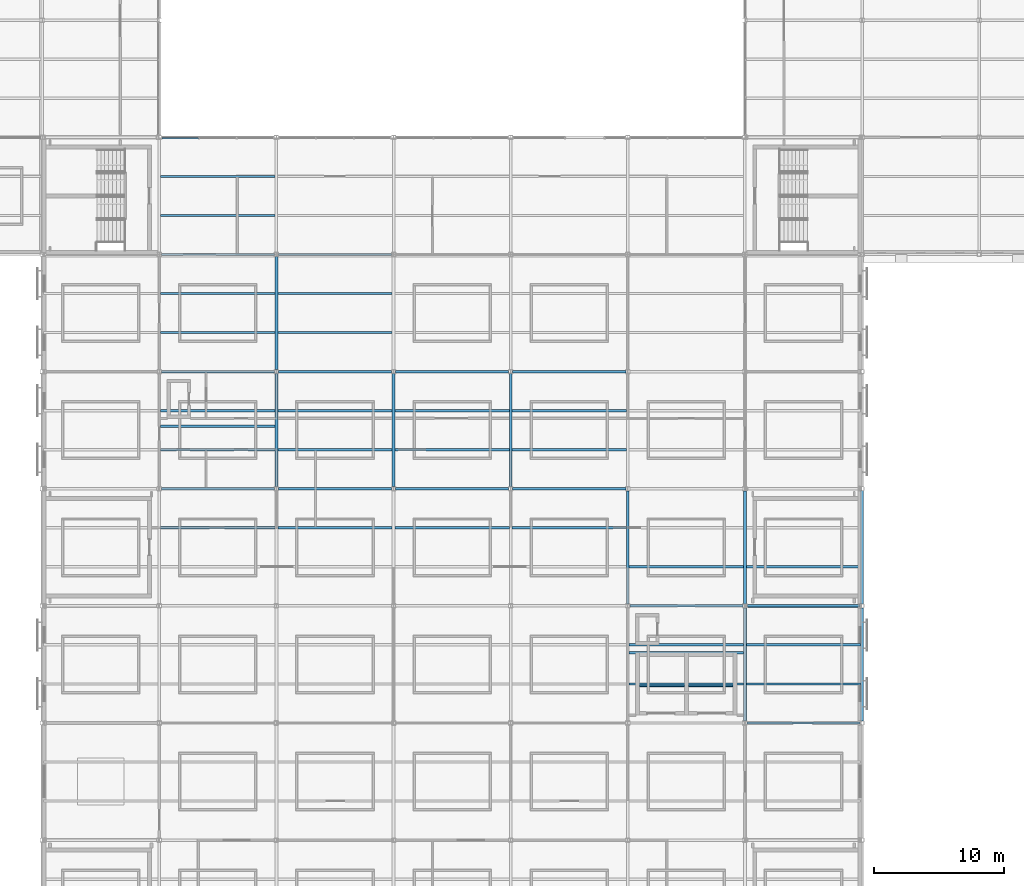
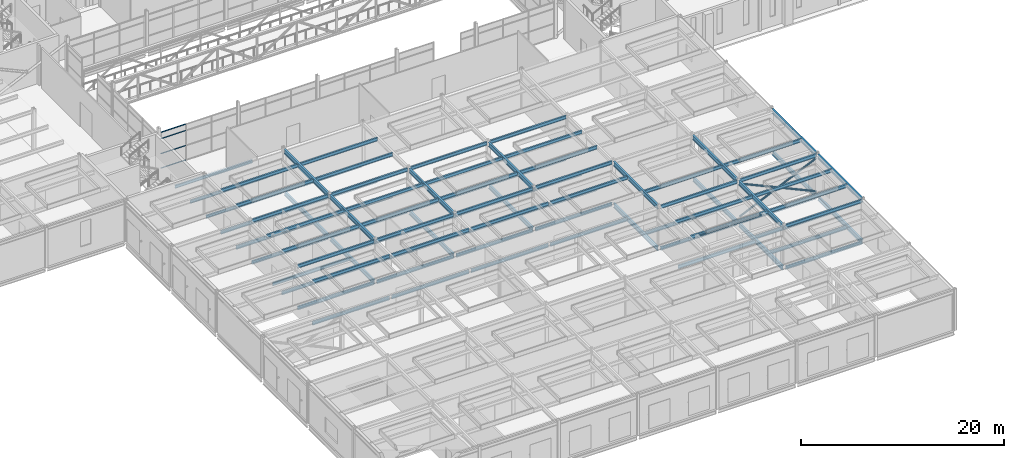
# One storey, part 24 of 115: 88 beams, 6 members, 1 element without a shape of its own.
"""IFC4 building model written with IfcOpenShell, lengths in metres."""

from ifc_helpers import new_model, si_unit, direction, frame, origin, origin_2d, place, context, subcontext, project, spatial, hollow_rectangle, hollow_circle, i_section, extrude, material, layer, layer_set, material_profile, profile_set, type_object, element, aggregate, save


model = new_model("IFC4")

# Units and contexts
model_context = context("Model", 3, precision=1e-05, world=origin(), true_north=direction((0.0, 1.0)))
body_context = subcontext(model_context, "Body", "Model", "MODEL_VIEW")
ifc_project = project(units=[si_unit("LENGTHUNIT", "METRE"), si_unit("AREAUNIT", "SQUARE_METRE"), si_unit("VOLUMEUNIT", "CUBIC_METRE"), si_unit("PLANEANGLEUNIT", "RADIAN"), si_unit("MASSUNIT", "GRAM", prefix="KILO")], contexts=[model_context])

# Site, building, storey
site_placement = place(None, origin())
site = spatial("IfcSite", under=ifc_project, at=site_placement, CompositionType="ELEMENT")
building_placement = place(site_placement, origin())
building = spatial("IfcBuilding", under=site, at=building_placement, Name="Shorebreak Coast Museum", CompositionType="ELEMENT")
storey_placement = place(building_placement, frame((0.0, 0.0, 11.0)))
storey = spatial("IfcBuildingStorey", under=building, at=storey_placement, Name="L02", CompositionType="ELEMENT", Elevation=11.0)

# Beams
ifc_material_1 = material(Name="Steel Grade 300", Category="steel")
ifc_material_profile_1 = material_profile(ifc_material_1, i_section(OverallWidth=0.172119140625, OverallDepth=0.358642578125, WebThickness=0.008056640625, FlangeThickness=0.012939453125, FilletRadius=0.011474609375, at=origin_2d()), Name="360UB56.7")
ifc_profile_set_1 = profile_set([ifc_material_profile_1], Name="Steel Grade 300")
beam_type_1 = type_object("IfcBeamType", Name="Floor girder east-west 360UB56.7", PredefinedType="BEAM", material=ifc_profile_set_1)
for number, where, z_axis, x_axis, name in (
    (1, (63.154541015625, 54.0, -0.354248046875), (1.0, 0.0, 0.0), (0.0, 1.0, 0.0), "Floor girder east-west L02 8G"),
    (2, (72.154541015625, 54.0, -0.354248046875), (1.0, 0.0, 0.0), (0.0, 1.0, 0.0), "Floor girder east-west L02 9G"),
):
    element("IfcBeam", number, at=place(storey_placement, frame(where, z_axis=z_axis, x_axis=x_axis)), inside=storey, type_object=beam_type_1, Name=name, PredefinedType="BEAM", context=body_context, shape_type="SweptSolid", body=[
        extrude(i_section(OverallWidth=0.172119140625, OverallDepth=0.358642578125, WebThickness=0.008056640625, FlangeThickness=0.012939453125, FilletRadius=0.011474609375, at=origin_2d()), origin(), (0.0, 0.0, 1.0), 8.69091796875),
    ])
ifc_material_2 = material(Name="Steel Grade 300", Category="steel")
ifc_material_profile_2 = material_profile(ifc_material_2, i_section(OverallWidth=0.177978515625, OverallDepth=0.406494140625, WebThickness=0.0078125, FlangeThickness=0.0126953125, FilletRadius=0.011474609375, at=origin_2d()), Name="410UB59.7")
ifc_profile_set_2 = profile_set([ifc_material_profile_2], Name="Steel Grade 300")
beam_type_2 = type_object("IfcBeamType", Name="Floor girder east-west 410UB59.7", PredefinedType="BEAM", material=ifc_profile_set_2)
beam_1_placement = place(storey_placement, frame((108.154541015625, 18.0, -0.378173828125), z_axis=(1.0, 0.0, 0.0), x_axis=(0.0, 1.0, 0.0)))
element("IfcBeam", 3, at=beam_1_placement, inside=storey, type_object=beam_type_2, Name="Floor girder east-west L02 13C", PredefinedType="BEAM", context=body_context, shape_type="SweptSolid", body=[
    extrude(i_section(OverallWidth=0.177978515625, OverallDepth=0.406494140625, WebThickness=0.0078125, FlangeThickness=0.0126953125, FilletRadius=0.011474609375, at=origin_2d()), origin(), (0.0, 0.0, 1.0), 8.695556640625),
])
beam_2_placement = place(storey_placement, frame((99.154541015625, 27.0, -0.378173828125), z_axis=(1.0, 0.0, 0.0), x_axis=(0.0, 1.0, 0.0)))
element("IfcBeam", 4, at=beam_2_placement, inside=storey, type_object=beam_type_2, Name="Floor girder east-west L02 12D", PredefinedType="BEAM", context=body_context, shape_type="SweptSolid", body=[
    extrude(i_section(OverallWidth=0.177978515625, OverallDepth=0.406494140625, WebThickness=0.0078125, FlangeThickness=0.0126953125, FilletRadius=0.011474609375, at=origin_2d()), origin(), (0.0, 0.0, 1.0), 8.69091796875),
])
beam_3_placement = place(storey_placement, frame((108.154541015625, 27.0, -0.378173828125), z_axis=(1.0, 0.0, 0.0), x_axis=(0.0, 1.0, 0.0)))
element("IfcBeam", 5, at=beam_3_placement, inside=storey, type_object=beam_type_2, Name="Floor girder east-west L02 13D", PredefinedType="BEAM", context=body_context, shape_type="SweptSolid", body=[
    extrude(i_section(OverallWidth=0.177978515625, OverallDepth=0.406494140625, WebThickness=0.0078125, FlangeThickness=0.0126953125, FilletRadius=0.011474609375, at=origin_2d()), origin(), (0.0, 0.0, 1.0), 8.695556640625),
])
for number, where, z_axis, x_axis, name in (
    (6, (63.154541015625, 36.0, -0.378173828125), (1.0, 0.0, 0.0), (0.0, 1.0, 0.0), "Floor girder east-west L02 8E"),
    (7, (72.154541015625, 36.0, -0.378173828125), (1.0, 0.0, 0.0), (0.0, 1.0, 0.0), "Floor girder east-west L02 9E"),
    (8, (81.154541015625, 36.0, -0.378173828125), (1.0, 0.0, 0.0), (0.0, 1.0, 0.0), "Floor girder east-west L02 10E"),
    (9, (90.154541015625, 36.0, -0.378173828125), (1.0, 0.0, 0.0), (0.0, 1.0, 0.0), "Floor girder east-west L02 11E"),
    (10, (63.154541015625, 45.0, -0.378173828125), (1.0, 0.0, 0.0), (0.0, 1.0, 0.0), "Floor girder east-west L02 8F"),
    (11, (72.154541015625, 45.0, -0.378173828125), (1.0, 0.0, 0.0), (0.0, 1.0, 0.0), "Floor girder east-west L02 9F"),
    (12, (81.154541015625, 45.0, -0.378173828125), (1.0, 0.0, 0.0), (0.0, 1.0, 0.0), "Floor girder east-west L02 10F"),
    (13, (90.154541015625, 45.0, -0.378173828125), (1.0, 0.0, 0.0), (0.0, 1.0, 0.0), "Floor girder east-west L02 11F"),
):
    element("IfcBeam", number, at=place(storey_placement, frame(where, z_axis=z_axis, x_axis=x_axis)), inside=storey, type_object=beam_type_2, Name=name, PredefinedType="BEAM", context=body_context, shape_type="SweptSolid", body=[
        extrude(i_section(OverallWidth=0.177978515625, OverallDepth=0.406494140625, WebThickness=0.0078125, FlangeThickness=0.0126953125, FilletRadius=0.011474609375, at=origin_2d()), origin(), (0.0, 0.0, 1.0), 8.69091796875),
    ])
ifc_material_3 = material(Name="Steel Grade 300", Category="steel")
ifc_material_profile_3 = material_profile(ifc_material_3, i_section(OverallWidth=0.208984375, OverallDepth=0.5283203125, WebThickness=0.009521484375, FlangeThickness=0.01318359375, FilletRadius=0.013916015625, at=origin_2d()), Name="530UB82.0")
ifc_profile_set_3 = profile_set([ifc_material_profile_3], Name="Steel Grade 300")
beam_type_3 = type_object("IfcBeamType", Name="Floor girder north-south 530UB82.0", PredefinedType="BEAM", material=ifc_profile_set_3)
beam_4_placement = place(storey_placement, frame((108.0, 18.160400390625, -0.439208984375), z_axis=(0.0, 1.0, 0.0), x_axis=(-1.0, 0.0, 0.0)))
element("IfcBeam", 14, at=beam_4_placement, inside=storey, type_object=beam_type_3, Name="Floor girder north-south L02 13C", PredefinedType="BEAM", context=body_context, shape_type="SweptSolid", body=[
    extrude(i_section(OverallWidth=0.208984375, OverallDepth=0.5283203125, WebThickness=0.009521484375, FlangeThickness=0.01318359375, FilletRadius=0.013916015625, at=origin_2d()), origin(), (0.0, 0.0, 1.0), 8.67919921875),
])
beam_5_placement = place(storey_placement, frame((117.0, 18.14990234375, -0.439208984375), z_axis=(0.0, 1.0, 0.0), x_axis=(-1.0, 0.0, 0.0)))
element("IfcBeam", 15, at=beam_5_placement, inside=storey, type_object=beam_type_3, Name="Floor girder north-south L02 14C", PredefinedType="BEAM", context=body_context, shape_type="SweptSolid", body=[
    extrude(i_section(OverallWidth=0.208984375, OverallDepth=0.5283203125, WebThickness=0.009521484375, FlangeThickness=0.01318359375, FilletRadius=0.013916015625, at=origin_2d()), origin(), (0.0, 0.0, 1.0), 8.7001953125),
])
for number, where, z_axis, x_axis, name in (
    (16, (99.0, 27.160400390625, -0.439208984375), (0.0, 1.0, 0.0), (-1.0, 0.0, 0.0), "Floor girder north-south L02 12D"),
    (17, (108.0, 27.160400390625, -0.439208984375), (0.0, 1.0, 0.0), (-1.0, 0.0, 0.0), "Floor girder north-south L02 13D"),
):
    element("IfcBeam", number, at=place(storey_placement, frame(where, z_axis=z_axis, x_axis=x_axis)), inside=storey, type_object=beam_type_3, Name=name, PredefinedType="BEAM", context=body_context, shape_type="SweptSolid", body=[
        extrude(i_section(OverallWidth=0.208984375, OverallDepth=0.5283203125, WebThickness=0.009521484375, FlangeThickness=0.01318359375, FilletRadius=0.013916015625, at=origin_2d()), origin(), (0.0, 0.0, 1.0), 8.67919921875),
    ])
beam_6_placement = place(storey_placement, frame((117.0, 27.14990234375, -0.439208984375), z_axis=(0.0, 1.0, 0.0), x_axis=(-1.0, 0.0, 0.0)))
element("IfcBeam", 18, at=beam_6_placement, inside=storey, type_object=beam_type_3, Name="Floor girder north-south L02 14D", PredefinedType="BEAM", context=body_context, shape_type="SweptSolid", body=[
    extrude(i_section(OverallWidth=0.208984375, OverallDepth=0.5283203125, WebThickness=0.009521484375, FlangeThickness=0.01318359375, FilletRadius=0.013916015625, at=origin_2d()), origin(), (0.0, 0.0, 1.0), 8.7001953125),
])
for number, where, z_axis, x_axis, name in (
    (19, (72.0, 36.160400390625, -0.439208984375), (0.0, 1.0, 0.0), (-1.0, 0.0, 0.0), "Floor girder north-south L02 9E"),
    (20, (81.0, 36.160400390625, -0.439208984375), (0.0, 1.0, 0.0), (-1.0, 0.0, 0.0), "Floor girder north-south L02 10E"),
    (21, (90.0, 36.160400390625, -0.439208984375), (0.0, 1.0, 0.0), (-1.0, 0.0, 0.0), "Floor girder north-south L02 11E"),
    (22, (72.0, 45.160400390625, -0.439208984375), (0.0, 1.0, 0.0), (-1.0, 0.0, 0.0), "Floor girder north-south L02 9F"),
):
    element("IfcBeam", number, at=place(storey_placement, frame(where, z_axis=z_axis, x_axis=x_axis)), inside=storey, type_object=beam_type_3, Name=name, PredefinedType="BEAM", context=body_context, shape_type="SweptSolid", body=[
        extrude(i_section(OverallWidth=0.208984375, OverallDepth=0.5283203125, WebThickness=0.009521484375, FlangeThickness=0.01318359375, FilletRadius=0.013916015625, at=origin_2d()), origin(), (0.0, 0.0, 1.0), 8.67919921875),
    ])
ifc_material_4 = material(Name="Steel Grade 300", Category="steel")
ifc_material_profile_4 = material_profile(ifc_material_4, i_section(OverallWidth=0.1708984375, OverallDepth=0.35205078125, WebThickness=0.0068359375, FlangeThickness=0.009765625, FilletRadius=0.011474609375, at=origin_2d()), Name="360UB44.7")
ifc_profile_set_4 = profile_set([ifc_material_profile_4], Name="Steel Grade 300")
beam_type_4 = type_object("IfcBeamType", Name="Floor joist 360UB44.7", PredefinedType="JOIST", material=ifc_profile_set_4)
for number, where, z_axis, x_axis, name in (
    (23, (63.095458984375, 57.0, -0.35107421875), (1.0, 0.0, 0.0), (0.0, 1.0, 0.0), "Floor joist L02 bay 8G at 3000 mm"),
    (24, (63.095458984375, 60.0, -0.35107421875), (1.0, 0.0, 0.0), (0.0, 1.0, 0.0), "Floor joist L02 bay 8G at 6000 mm"),
):
    element("IfcBeam", number, at=place(storey_placement, frame(where, z_axis=z_axis, x_axis=x_axis)), inside=storey, type_object=beam_type_4, Name=name, PredefinedType="JOIST", context=body_context, shape_type="SweptSolid", body=[
        extrude(i_section(OverallWidth=0.1708984375, OverallDepth=0.35205078125, WebThickness=0.0068359375, FlangeThickness=0.009765625, FilletRadius=0.011474609375, at=origin_2d()), origin(), (0.0, 0.0, 1.0), 8.80908203125),
    ])
ifc_material_5 = material(Name="Steel Grade 300", Category="steel")
ifc_material_profile_5 = material_profile(ifc_material_5, i_section(OverallWidth=0.177978515625, OverallDepth=0.406494140625, WebThickness=0.0078125, FlangeThickness=0.0126953125, FilletRadius=0.011474609375, at=origin_2d()), Name="410UB59.7")
ifc_profile_set_5 = profile_set([ifc_material_profile_5], Name="Steel Grade 300")
beam_type_5 = type_object("IfcBeamType", Name="Floor joist 410UB59.7", PredefinedType="JOIST", material=ifc_profile_set_5)
for number, where, z_axis, x_axis, name in (
    (25, (99.1044921875, 23.39990234375, -0.378173828125), (1.0, 0.0, 0.0), (0.0, 1.0, 0.0), "Floor joist L02 bay 12C at 5400 mm"),
    (26, (108.1044921875, 21.0, -0.378173828125), (1.0, 0.0, 0.0), (0.0, 1.0, 0.0), "Floor joist L02 bay 13C at 3000 mm"),
    (27, (108.1044921875, 24.0, -0.378173828125), (1.0, 0.0, 0.0), (0.0, 1.0, 0.0), "Floor joist L02 bay 13C at 6000 mm"),
    (28, (63.1044921875, 33.0, -0.378173828125), (1.0, 0.0, 0.0), (0.0, 1.0, 0.0), "Floor joist L02 bay 8D at 6000 mm"),
    (29, (72.1044921875, 33.0, -0.378173828125), (1.0, 0.0, 0.0), (0.0, 1.0, 0.0), "Floor joist L02 bay 9D at 6000 mm"),
    (30, (81.1044921875, 33.0, -0.378173828125), (1.0, 0.0, 0.0), (0.0, 1.0, 0.0), "Floor joist L02 bay 10D at 6000 mm"),
    (31, (90.1044921875, 33.0, -0.378173828125), (1.0, 0.0, 0.0), (0.0, 1.0, 0.0), "Floor joist L02 bay 11D at 6000 mm"),
    (32, (99.1044921875, 30.0, -0.378173828125), (1.0, 0.0, 0.0), (0.0, 1.0, 0.0), "Floor joist L02 bay 12D at 3000 mm"),
    (33, (63.1044921875, 39.0, -0.378173828125), (1.0, 0.0, 0.0), (0.0, 1.0, 0.0), "Floor joist L02 bay 8E at 3000 mm"),
    (34, (63.1044921875, 40.800048828125, -0.378173828125), (1.0, 0.0, 0.0), (0.0, 1.0, 0.0), "Floor joist L02 bay 8E at 4800 mm"),
    (35, (72.1044921875, 39.0, -0.378173828125), (1.0, 0.0, 0.0), (0.0, 1.0, 0.0), "Floor joist L02 bay 9E at 3000 mm"),
    (36, (72.1044921875, 42.0, -0.378173828125), (1.0, 0.0, 0.0), (0.0, 1.0, 0.0), "Floor joist L02 bay 9E at 6000 mm"),
    (37, (81.1044921875, 39.0, -0.378173828125), (1.0, 0.0, 0.0), (0.0, 1.0, 0.0), "Floor joist L02 bay 10E at 3000 mm"),
    (38, (81.1044921875, 42.0, -0.378173828125), (1.0, 0.0, 0.0), (0.0, 1.0, 0.0), "Floor joist L02 bay 10E at 6000 mm"),
    (39, (90.1044921875, 39.0, -0.378173828125), (1.0, 0.0, 0.0), (0.0, 1.0, 0.0), "Floor joist L02 bay 11E at 3000 mm"),
    (40, (90.1044921875, 42.0, -0.378173828125), (1.0, 0.0, 0.0), (0.0, 1.0, 0.0), "Floor joist L02 bay 11E at 6000 mm"),
    (41, (63.1044921875, 48.0, -0.378173828125), (1.0, 0.0, 0.0), (0.0, 1.0, 0.0), "Floor joist L02 bay 8F at 3000 mm"),
    (42, (63.1044921875, 51.0, -0.378173828125), (1.0, 0.0, 0.0), (0.0, 1.0, 0.0), "Floor joist L02 bay 8F at 6000 mm"),
    (43, (72.1044921875, 48.0, -0.378173828125), (1.0, 0.0, 0.0), (0.0, 1.0, 0.0), "Floor joist L02 bay 9F at 3000 mm"),
    (44, (72.1044921875, 51.0, -0.378173828125), (1.0, 0.0, 0.0), (0.0, 1.0, 0.0), "Floor joist L02 bay 9F at 6000 mm"),
):
    element("IfcBeam", number, at=place(storey_placement, frame(where, z_axis=z_axis, x_axis=x_axis)), inside=storey, type_object=beam_type_5, Name=name, PredefinedType="JOIST", context=body_context, shape_type="SweptSolid", body=[
        extrude(i_section(OverallWidth=0.177978515625, OverallDepth=0.406494140625, WebThickness=0.0078125, FlangeThickness=0.0126953125, FilletRadius=0.011474609375, at=origin_2d()), origin(), (0.0, 0.0, 1.0), 8.791015625),
    ])
ifc_material_6 = material(Name="Steel Grade C450L0", Category="steel")
ifc_material_profile_6 = material_profile(ifc_material_6, hollow_rectangle(XDim=0.14990234375, YDim=0.14990234375, WallThickness=0.009033203125, InnerFilletRadius=0.013427734375, OuterFilletRadius=0.0224609375, at=origin_2d()), Name="150x150x9.0 SHS")
ifc_profile_set_6 = profile_set([ifc_material_profile_6], Name="Steel Grade C450L0")
beam_type_6 = type_object("IfcBeamType", Name="Lift rail head beam 150x150x9.0 SHS", PredefinedType="BEAM", material=ifc_profile_set_6)
for number, where, z_axis, x_axis, name in (
    (45, (99.89990234375, 20.85009765625, 4.574951171875), (1.0, 0.0, 0.0), (0.0, 1.0, 0.0), "Goods Lift 1 rail head beam"),
    (46, (103.64990234375, 20.85009765625, 4.574951171875), (1.0, 0.0, 0.0), (0.0, 1.0, 0.0), "Goods Lift 2 rail head beam"),
):
    element("IfcBeam", number, at=place(storey_placement, frame(where, z_axis=z_axis, x_axis=x_axis)), inside=storey, type_object=beam_type_6, Name=name, PredefinedType="BEAM", context=body_context, shape_type="SweptSolid", body=[
        extrude(hollow_rectangle(XDim=0.14990234375, YDim=0.14990234375, WallThickness=0.009033203125, InnerFilletRadius=0.013427734375, OuterFilletRadius=0.0224609375, at=origin_2d()), origin(), (0.0, 0.0, 1.0), 3.4501953125),
    ])
ifc_material_7 = material(Name="Steel Grade 300", Category="steel")
ifc_material_profile_7 = material_profile(ifc_material_7, i_section(OverallWidth=0.177978515625, OverallDepth=0.406494140625, WebThickness=0.0078125, FlangeThickness=0.0126953125, FilletRadius=0.011474609375, at=origin_2d()), Name="410UB59.7")
ifc_profile_set_7 = profile_set([ifc_material_profile_7], Name="Steel Grade 300")
beam_type_7 = type_object("IfcBeamType", Name="Roof deck girder east-west 410UB59.7", PredefinedType="BEAM", material=ifc_profile_set_7)
beam_7_placement = place(storey_placement, frame((108.153564453125, 18.0, 4.621826171875), z_axis=(1.0, 0.0, 0.0), x_axis=(0.0, 1.0, 0.0)))
element("IfcBeam", 47, at=beam_7_placement, inside=storey, type_object=beam_type_7, Name="Roof deck girder east-west L03 13C", PredefinedType="BEAM", context=body_context, shape_type="SweptSolid", body=[
    extrude(i_section(OverallWidth=0.177978515625, OverallDepth=0.406494140625, WebThickness=0.0078125, FlangeThickness=0.0126953125, FilletRadius=0.011474609375, at=origin_2d()), origin(), (0.0, 0.0, 1.0), 8.696533203125),
])
beam_8_placement = place(storey_placement, frame((99.153564453125, 27.0, 4.621826171875), z_axis=(1.0, 0.0, 0.0), x_axis=(0.0, 1.0, 0.0)))
element("IfcBeam", 48, at=beam_8_placement, inside=storey, type_object=beam_type_7, Name="Roof deck girder east-west L03 12D", PredefinedType="BEAM", context=body_context, shape_type="SweptSolid", body=[
    extrude(i_section(OverallWidth=0.177978515625, OverallDepth=0.406494140625, WebThickness=0.0078125, FlangeThickness=0.0126953125, FilletRadius=0.011474609375, at=origin_2d()), origin(), (0.0, 0.0, 1.0), 8.69287109375),
])
beam_9_placement = place(storey_placement, frame((108.153564453125, 27.0, 4.621826171875), z_axis=(1.0, 0.0, 0.0), x_axis=(0.0, 1.0, 0.0)))
element("IfcBeam", 49, at=beam_9_placement, inside=storey, type_object=beam_type_7, Name="Roof deck girder east-west L03 13D", PredefinedType="BEAM", context=body_context, shape_type="SweptSolid", body=[
    extrude(i_section(OverallWidth=0.177978515625, OverallDepth=0.406494140625, WebThickness=0.0078125, FlangeThickness=0.0126953125, FilletRadius=0.011474609375, at=origin_2d()), origin(), (0.0, 0.0, 1.0), 8.696533203125),
])
for number, where, z_axis, x_axis, name in (
    (50, (63.153564453125, 36.0, 4.621826171875), (1.0, 0.0, 0.0), (0.0, 1.0, 0.0), "Roof deck girder east-west L03 8E"),
    (51, (72.153564453125, 36.0, 4.621826171875), (1.0, 0.0, 0.0), (0.0, 1.0, 0.0), "Roof deck girder east-west L03 9E"),
    (52, (81.153564453125, 36.0, 4.621826171875), (1.0, 0.0, 0.0), (0.0, 1.0, 0.0), "Roof deck girder east-west L03 10E"),
    (53, (90.153564453125, 36.0, 4.621826171875), (1.0, 0.0, 0.0), (0.0, 1.0, 0.0), "Roof deck girder east-west L03 11E"),
    (54, (63.153564453125, 45.0, 4.621826171875), (1.0, 0.0, 0.0), (0.0, 1.0, 0.0), "Roof deck girder east-west L03 8F"),
    (55, (72.153564453125, 45.0, 4.621826171875), (1.0, 0.0, 0.0), (0.0, 1.0, 0.0), "Roof deck girder east-west L03 9F"),
    (56, (81.153564453125, 45.0, 4.621826171875), (1.0, 0.0, 0.0), (0.0, 1.0, 0.0), "Roof deck girder east-west L03 10F"),
    (57, (90.153564453125, 45.0, 4.621826171875), (1.0, 0.0, 0.0), (0.0, 1.0, 0.0), "Roof deck girder east-west L03 11F"),
):
    element("IfcBeam", number, at=place(storey_placement, frame(where, z_axis=z_axis, x_axis=x_axis)), inside=storey, type_object=beam_type_7, Name=name, PredefinedType="BEAM", context=body_context, shape_type="SweptSolid", body=[
        extrude(i_section(OverallWidth=0.177978515625, OverallDepth=0.406494140625, WebThickness=0.0078125, FlangeThickness=0.0126953125, FilletRadius=0.011474609375, at=origin_2d()), origin(), (0.0, 0.0, 1.0), 8.69287109375),
    ])
ifc_material_8 = material(Name="Steel Grade 300", Category="steel")
ifc_material_profile_8 = material_profile(ifc_material_8, i_section(OverallWidth=0.208984375, OverallDepth=0.5283203125, WebThickness=0.009521484375, FlangeThickness=0.01318359375, FilletRadius=0.013916015625, at=origin_2d()), Name="530UB82.0")
ifc_profile_set_8 = profile_set([ifc_material_profile_8], Name="Steel Grade 300")
beam_type_8 = type_object("IfcBeamType", Name="Roof deck girder north-south 530UB82.0", PredefinedType="BEAM", material=ifc_profile_set_8)
beam_10_placement = place(storey_placement, frame((108.0, 18.1572265625, 4.560791015625), z_axis=(0.0, 1.0, 0.0), x_axis=(-1.0, 0.0, 0.0)))
element("IfcBeam", 58, at=beam_10_placement, inside=storey, type_object=beam_type_8, Name="Roof deck girder north-south L03 13C", PredefinedType="BEAM", context=body_context, shape_type="SweptSolid", body=[
    extrude(i_section(OverallWidth=0.208984375, OverallDepth=0.5283203125, WebThickness=0.009521484375, FlangeThickness=0.01318359375, FilletRadius=0.013916015625, at=origin_2d()), origin(), (0.0, 0.0, 1.0), 8.685546875),
])
beam_11_placement = place(storey_placement, frame((117.0, 18.14990234375, 4.560791015625), z_axis=(0.0, 1.0, 0.0), x_axis=(-1.0, 0.0, 0.0)))
element("IfcBeam", 59, at=beam_11_placement, inside=storey, type_object=beam_type_8, Name="Roof deck girder north-south L03 14C", PredefinedType="BEAM", context=body_context, shape_type="SweptSolid", body=[
    extrude(i_section(OverallWidth=0.208984375, OverallDepth=0.5283203125, WebThickness=0.009521484375, FlangeThickness=0.01318359375, FilletRadius=0.013916015625, at=origin_2d()), origin(), (0.0, 0.0, 1.0), 8.7001953125),
])
for number, where, z_axis, x_axis, name in (
    (60, (99.0, 27.1572265625, 4.560791015625), (0.0, 1.0, 0.0), (-1.0, 0.0, 0.0), "Roof deck girder north-south L03 12D"),
    (61, (108.0, 27.1572265625, 4.560791015625), (0.0, 1.0, 0.0), (-1.0, 0.0, 0.0), "Roof deck girder north-south L03 13D"),
):
    element("IfcBeam", number, at=place(storey_placement, frame(where, z_axis=z_axis, x_axis=x_axis)), inside=storey, type_object=beam_type_8, Name=name, PredefinedType="BEAM", context=body_context, shape_type="SweptSolid", body=[
        extrude(i_section(OverallWidth=0.208984375, OverallDepth=0.5283203125, WebThickness=0.009521484375, FlangeThickness=0.01318359375, FilletRadius=0.013916015625, at=origin_2d()), origin(), (0.0, 0.0, 1.0), 8.685546875),
    ])
beam_12_placement = place(storey_placement, frame((117.0, 27.14990234375, 4.560791015625), z_axis=(0.0, 1.0, 0.0), x_axis=(-1.0, 0.0, 0.0)))
element("IfcBeam", 62, at=beam_12_placement, inside=storey, type_object=beam_type_8, Name="Roof deck girder north-south L03 14D", PredefinedType="BEAM", context=body_context, shape_type="SweptSolid", body=[
    extrude(i_section(OverallWidth=0.208984375, OverallDepth=0.5283203125, WebThickness=0.009521484375, FlangeThickness=0.01318359375, FilletRadius=0.013916015625, at=origin_2d()), origin(), (0.0, 0.0, 1.0), 8.7001953125),
])
for number, where, z_axis, x_axis, name in (
    (63, (72.0, 36.1572265625, 4.560791015625), (0.0, 1.0, 0.0), (-1.0, 0.0, 0.0), "Roof deck girder north-south L03 9E"),
    (64, (81.0, 36.1572265625, 4.560791015625), (0.0, 1.0, 0.0), (-1.0, 0.0, 0.0), "Roof deck girder north-south L03 10E"),
    (65, (90.0, 36.1572265625, 4.560791015625), (0.0, 1.0, 0.0), (-1.0, 0.0, 0.0), "Roof deck girder north-south L03 11E"),
    (66, (72.0, 45.1572265625, 4.560791015625), (0.0, 1.0, 0.0), (-1.0, 0.0, 0.0), "Roof deck girder north-south L03 9F"),
):
    element("IfcBeam", number, at=place(storey_placement, frame(where, z_axis=z_axis, x_axis=x_axis)), inside=storey, type_object=beam_type_8, Name=name, PredefinedType="BEAM", context=body_context, shape_type="SweptSolid", body=[
        extrude(i_section(OverallWidth=0.208984375, OverallDepth=0.5283203125, WebThickness=0.009521484375, FlangeThickness=0.01318359375, FilletRadius=0.013916015625, at=origin_2d()), origin(), (0.0, 0.0, 1.0), 8.685546875),
    ])
ifc_material_9 = material(Name="Steel Grade 300", Category="steel")
ifc_material_profile_9 = material_profile(ifc_material_9, i_section(OverallWidth=0.177978515625, OverallDepth=0.402587890625, WebThickness=0.007568359375, FlangeThickness=0.010986328125, FilletRadius=0.011474609375, at=origin_2d()), Name="410UB53.7")
ifc_profile_set_9 = profile_set([ifc_material_profile_9], Name="Steel Grade 300")
beam_type_9 = type_object("IfcBeamType", Name="Roof deck joist 410UB53.7", PredefinedType="JOIST", material=ifc_profile_set_9)
for number, where, z_axis, x_axis, name in (
    (67, (99.1044921875, 21.0, 4.623779296875), (1.0, 0.0, 0.0), (0.0, 1.0, 0.0), "Roof deck joist L03 bay 12C at 3000 mm"),
    (68, (99.1044921875, 24.0, 4.623779296875), (1.0, 0.0, 0.0), (0.0, 1.0, 0.0), "Roof deck joist L03 bay 12C at 6000 mm"),
    (69, (108.1044921875, 21.0, 4.623779296875), (1.0, 0.0, 0.0), (0.0, 1.0, 0.0), "Roof deck joist L03 bay 13C at 3000 mm"),
    (70, (108.1044921875, 24.0, 4.623779296875), (1.0, 0.0, 0.0), (0.0, 1.0, 0.0), "Roof deck joist L03 bay 13C at 6000 mm"),
    (71, (63.1044921875, 33.0, 4.623779296875), (1.0, 0.0, 0.0), (0.0, 1.0, 0.0), "Roof deck joist L03 bay 8D at 6000 mm"),
    (72, (72.1044921875, 33.0, 4.623779296875), (1.0, 0.0, 0.0), (0.0, 1.0, 0.0), "Roof deck joist L03 bay 9D at 6000 mm"),
    (73, (81.1044921875, 33.0, 4.623779296875), (1.0, 0.0, 0.0), (0.0, 1.0, 0.0), "Roof deck joist L03 bay 10D at 6000 mm"),
    (74, (90.1044921875, 33.0, 4.623779296875), (1.0, 0.0, 0.0), (0.0, 1.0, 0.0), "Roof deck joist L03 bay 11D at 6000 mm"),
    (75, (99.1044921875, 30.0, 4.623779296875), (1.0, 0.0, 0.0), (0.0, 1.0, 0.0), "Roof deck joist L03 bay 12D at 3000 mm"),
    (76, (108.1044921875, 30.0, 4.623779296875), (1.0, 0.0, 0.0), (0.0, 1.0, 0.0), "Roof deck joist L03 bay 13D at 3000 mm"),
    (77, (63.1044921875, 39.0, 4.623779296875), (1.0, 0.0, 0.0), (0.0, 1.0, 0.0), "Roof deck joist L03 bay 8E at 3000 mm"),
    (78, (63.1044921875, 42.0, 4.623779296875), (1.0, 0.0, 0.0), (0.0, 1.0, 0.0), "Roof deck joist L03 bay 8E at 6000 mm"),
    (79, (72.1044921875, 39.0, 4.623779296875), (1.0, 0.0, 0.0), (0.0, 1.0, 0.0), "Roof deck joist L03 bay 9E at 3000 mm"),
    (80, (72.1044921875, 42.0, 4.623779296875), (1.0, 0.0, 0.0), (0.0, 1.0, 0.0), "Roof deck joist L03 bay 9E at 6000 mm"),
    (81, (81.1044921875, 39.0, 4.623779296875), (1.0, 0.0, 0.0), (0.0, 1.0, 0.0), "Roof deck joist L03 bay 10E at 3000 mm"),
    (82, (81.1044921875, 42.0, 4.623779296875), (1.0, 0.0, 0.0), (0.0, 1.0, 0.0), "Roof deck joist L03 bay 10E at 6000 mm"),
    (83, (90.1044921875, 39.0, 4.623779296875), (1.0, 0.0, 0.0), (0.0, 1.0, 0.0), "Roof deck joist L03 bay 11E at 3000 mm"),
    (84, (90.1044921875, 42.0, 4.623779296875), (1.0, 0.0, 0.0), (0.0, 1.0, 0.0), "Roof deck joist L03 bay 11E at 6000 mm"),
    (85, (63.1044921875, 48.0, 4.623779296875), (1.0, 0.0, 0.0), (0.0, 1.0, 0.0), "Roof deck joist L03 bay 8F at 3000 mm"),
    (86, (63.1044921875, 51.0, 4.623779296875), (1.0, 0.0, 0.0), (0.0, 1.0, 0.0), "Roof deck joist L03 bay 8F at 6000 mm"),
    (87, (72.1044921875, 48.0, 4.623779296875), (1.0, 0.0, 0.0), (0.0, 1.0, 0.0), "Roof deck joist L03 bay 9F at 3000 mm"),
    (88, (72.1044921875, 51.0, 4.623779296875), (1.0, 0.0, 0.0), (0.0, 1.0, 0.0), "Roof deck joist L03 bay 9F at 6000 mm"),
):
    element("IfcBeam", number, at=place(storey_placement, frame(where, z_axis=z_axis, x_axis=x_axis)), inside=storey, type_object=beam_type_9, Name=name, PredefinedType="JOIST", context=body_context, shape_type="SweptSolid", body=[
        extrude(i_section(OverallWidth=0.177978515625, OverallDepth=0.402587890625, WebThickness=0.007568359375, FlangeThickness=0.010986328125, FilletRadius=0.011474609375, at=origin_2d()), origin(), (0.0, 0.0, 1.0), 8.791015625),
    ])

# Curtain wall, members
ifc_material_10 = material(Name="Aluminium", Category="aluminium")
ifc_layer = layer(ifc_material_10, 0.1201171875)
ifc_layer_set = layer_set([ifc_layer], Name="Aluminium")
curtain_wall_type = type_object("IfcCurtainWallType", Name="Atrium fire screen", PredefinedType="NOTDEFINED", material=ifc_layer_set)
curtain_wall_placement = place(storey_placement, origin())
curtain_wall = element("IfcCurtainWall", 89, at=curtain_wall_placement, inside=storey, type_object=curtain_wall_type, Name="Atrium screen L02 S 16", PredefinedType="NOTDEFINED")
ifc_material_11 = material(Name="Aluminium", Category="aluminium")
ifc_material_profile_10 = material_profile(ifc_material_11, hollow_rectangle(XDim=0.1201171875, YDim=0.06005859375, WallThickness=0.00341796875, at=origin_2d()), Name="AL 60x120 RHS")
ifc_profile_set_10 = profile_set([ifc_material_profile_10], Name="Aluminium")
member_type_1 = type_object("IfcMemberType", Name="Screen transom 120 x 50", PredefinedType="USERDEFINED", material=ifc_profile_set_10)
member_1_placement = place(storey_placement, frame((63.20556640625, 62.93994140625, 0.06005859375), z_axis=(1.0, 0.0, 0.0), x_axis=(0.0, 1.0, 0.0)))
member_1 = element("IfcMember", 90, at=member_1_placement, type_object=member_type_1, Name="CW5 transom 1.1", ObjectType="TRANSOM", PredefinedType="USERDEFINED", context=body_context, shape_type="SweptSolid", body=[
    extrude(hollow_rectangle(XDim=0.1201171875, YDim=0.06005859375, WallThickness=0.00341796875, at=origin_2d()), origin(), (0.0, 0.0, 1.0), 2.8212890625),
])
member_2_placement = place(storey_placement, frame((63.20556640625, 62.93994140625, 1.800048828125), z_axis=(1.0, 0.0, 0.0), x_axis=(0.0, 1.0, 0.0)))
member_2 = element("IfcMember", 91, at=member_2_placement, type_object=member_type_1, Name="CW5 transom 1.2", ObjectType="TRANSOM", PredefinedType="USERDEFINED", context=body_context, shape_type="SweptSolid", body=[
    extrude(hollow_rectangle(XDim=0.1201171875, YDim=0.06005859375, WallThickness=0.00341796875, at=origin_2d()), origin(), (0.0, 0.0, 1.0), 2.8212890625),
])
member_3_placement = place(storey_placement, frame((63.20556640625, 62.93994140625, 3.60009765625), z_axis=(1.0, 0.0, 0.0), x_axis=(0.0, 1.0, 0.0)))
member_3 = element("IfcMember", 92, at=member_3_placement, type_object=member_type_1, Name="CW5 transom 1.3", ObjectType="TRANSOM", PredefinedType="USERDEFINED", context=body_context, shape_type="SweptSolid", body=[
    extrude(hollow_rectangle(XDim=0.1201171875, YDim=0.06005859375, WallThickness=0.00341796875, at=origin_2d()), origin(), (0.0, 0.0, 1.0), 2.8212890625),
])
member_4_placement = place(storey_placement, frame((63.20556640625, 62.93994140625, 4.3623046875), z_axis=(1.0, 0.0, 0.0), x_axis=(0.0, 1.0, 0.0)))
member_4 = element("IfcMember", 93, at=member_4_placement, type_object=member_type_1, Name="CW5 transom 1.4", ObjectType="TRANSOM", PredefinedType="USERDEFINED", context=body_context, shape_type="SweptSolid", body=[
    extrude(hollow_rectangle(XDim=0.1201171875, YDim=0.06005859375, WallThickness=0.00341796875, at=origin_2d()), origin(), (0.0, 0.0, 1.0), 2.8212890625),
])
aggregate(curtain_wall, [member_1, member_2, member_3, member_4])

# Members
ifc_material_12 = material(Name="Steel Grade C350L0", Category="steel")
ifc_material_profile_11 = material_profile(ifc_material_12, hollow_circle(Radius=0.109619140625, WallThickness=0.00830078125, at=origin_2d()), Name="219.1x8.2 CHS")
ifc_profile_set_11 = profile_set([ifc_material_profile_11], Name="Steel Grade C350L0")
member_type_2 = type_object("IfcMemberType", Name="X-brace 219.1x8.2 CHS", PredefinedType="BRACE", material=ifc_profile_set_11)
for number, where, z_axis, x_axis, name in (
    (94, (108.153564453125, 27.0, 0.300048828125), (0.90950233373, 0.0, 0.415698815178), (0.0, 1.0, 0.0), "X-brace bay 17 L02 diagonal 1"),
    (95, (116.85009765625, 27.0, 0.300048828125), (-0.90950233373, 0.0, 0.415698815178), (0.0, -1.0, 0.0), "X-brace bay 17 L02 diagonal 2"),
):
    element("IfcMember", number, at=place(storey_placement, frame(where, z_axis=z_axis, x_axis=x_axis)), inside=storey, type_object=member_type_2, Name=name, PredefinedType="BRACE", context=body_context, shape_type="SweptSolid", body=[
        extrude(hollow_circle(Radius=0.109619140625, WallThickness=0.00830078125, at=origin_2d()), origin(), (0.0, 0.0, 1.0), 9.561767578125),
    ])

save(model, "model.ifc")
